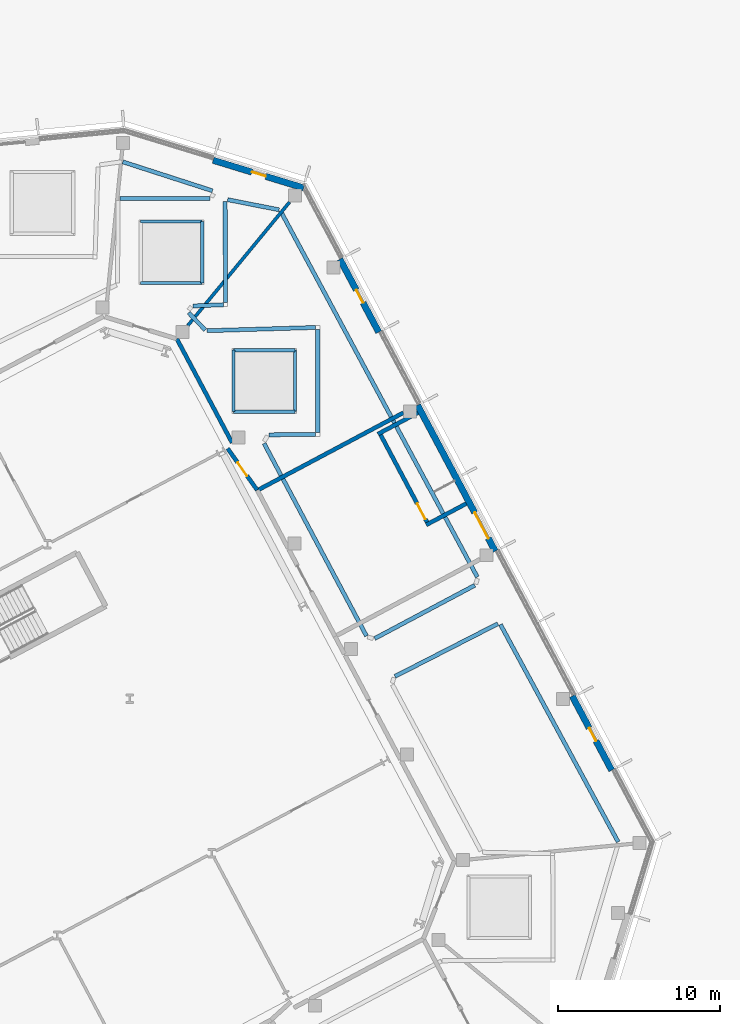
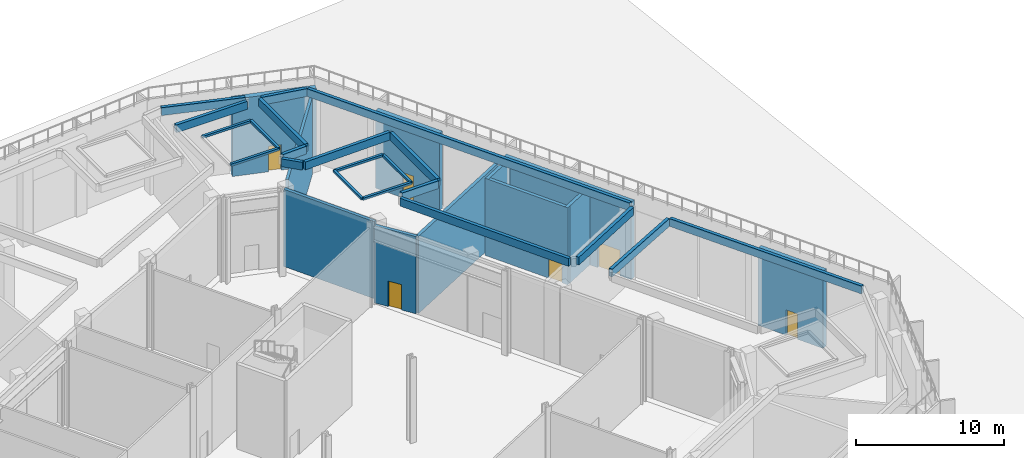
# One storey, part 27 of 57: 32 walls, 6 doors, 6 openings.
"""IFC4 building model written with IfcOpenShell, lengths in metres."""

from ifc_helpers import new_model, si_unit, direction, frame, frame_2d, origin, place, context, subcontext, project, spatial, rectangle, extrude, material, layer, layer_set, type_object, element, fill, save


model = new_model("IFC4")

# Units and contexts
model_context = context("Model", 3, precision=1e-05, world=origin(), true_north=direction((0.0, 1.0)))
body_context = subcontext(model_context, "Body", "Model", "MODEL_VIEW")
ifc_project = project(units=[si_unit("LENGTHUNIT", "METRE"), si_unit("AREAUNIT", "SQUARE_METRE"), si_unit("VOLUMEUNIT", "CUBIC_METRE"), si_unit("PLANEANGLEUNIT", "RADIAN"), si_unit("MASSUNIT", "GRAM", prefix="KILO")], contexts=[model_context])

# Site, building, storey
site_placement = place(None, origin())
site = spatial("IfcSite", under=ifc_project, at=site_placement, CompositionType="ELEMENT")
building_placement = place(site_placement, origin())
building = spatial("IfcBuilding", under=site, at=building_placement, Name="Cormorant Relay Tower", CompositionType="ELEMENT")
storey_placement = place(building_placement, origin())
storey = spatial("IfcBuildingStorey", under=building, at=storey_placement, Name="L00", CompositionType="ELEMENT", Elevation=0.0)

# Wall, opening, door
ifc_material_1 = material(Name="Concrete 40 MPa with granite cladding", Category="masonry")
ifc_layer_1 = layer(ifc_material_1, 0.39990234375)
ifc_layer_set_1 = layer_set([ifc_layer_1], Name="Base facade wall 400")
wall_type_1 = type_object("IfcWallType", Name="Base facade wall 400", PredefinedType="SOLIDWALL", material=ifc_layer_set_1)
wall_1_placement = place(storey_placement, frame((82.378662109375, 23.56689453125, 0.0), z_axis=(0.0, 0.0, 1.0), x_axis=(-0.469469391506, 0.882948747345, 0.0)))
wall_1 = element("IfcWall", 1, at=wall_1_placement, inside=storey, type_object=wall_type_1, Name="Base facade wall", PredefinedType="SOLIDWALL", context=body_context, shape_type="SweptSolid", body=[
    extrude(rectangle(XDim=5.18896484375, YDim=0.39990234375, at=frame_2d((2.594482421875, 0.0))), origin(), (0.0, 0.0, 1.0), 6.3701171875),
])
opening_1_placement = place(wall_1_placement, frame((2.05224609375, 0.0, 0.0)))
opening_1 = element("IfcOpeningElement", 2, at=opening_1_placement, cuts=wall_1, Name="Opening PD4-002", PredefinedType="OPENING", context=body_context, shape_type="SweptSolid", body=[
    extrude(rectangle(XDim=0.89990234375, YDim=2.10009765625, at=frame_2d((0.449951171875, 1.050048828125))), frame((0.0, 0.2099609375, 0.0), z_axis=(0.0, -1.0, 0.0), x_axis=(1.0, 0.0, 0.0)), (0.0, 0.0, 1.0), 0.419921875),
])
ifc_material_2 = material(Name="Steel door leaf", Category="steel")
door_type_1 = type_object("IfcDoorType", Name="Door service 900", OperationType="SINGLE_SWING_LEFT", PredefinedType="DOOR", material=ifc_material_2)
door_1_placement = place(opening_1_placement, frame((0.89990234375, 0.0, 0.0), z_axis=(0.0, 0.0, 1.0), x_axis=(-1.0, 0.0, 0.0)))
door_1 = element("IfcDoor", 3, at=door_1_placement, inside=storey, type_object=door_type_1, Name="Service door", OperationType="SINGLE_SWING_LEFT", OverallHeight=2.10009765625, OverallWidth=0.89990234375, PredefinedType="DOOR", context=body_context, shape_type="SweptSolid", body=[
    extrude(rectangle(XDim=0.89990234375, YDim=2.10009765625, at=frame_2d((0.449951171875, 1.050048828125))), frame((0.0, 0.02490234375, 0.0), z_axis=(0.0, -1.0, 0.0), x_axis=(1.0, 0.0, 0.0)), (0.0, 0.0, 1.0), 0.050048828125),
])
fill(opening_1, door_1)

wall_2_placement = place(storey_placement, frame((75.189208984375, 37.08837890625, 0.0), z_axis=(0.0, 0.0, 1.0), x_axis=(-0.469475745628, 0.88294536879, 0.0)))
wall_2 = element("IfcWall", 4, at=wall_2_placement, inside=storey, type_object=wall_type_1, Name="Base facade wall", PredefinedType="SOLIDWALL", context=body_context, shape_type="SweptSolid", body=[
    extrude(rectangle(XDim=10.209228515625, YDim=0.39990234375, at=frame_2d((5.1044921875, 0.0))), origin(), (0.0, 0.0, 1.0), 6.3701171875),
])
opening_2_placement = place(wall_2_placement, frame((0.89990234375, 0.0, 0.0)))
opening_2 = element("IfcOpeningElement", 5, at=opening_2_placement, cuts=wall_2, Name="Opening PD3-010", PredefinedType="OPENING", context=body_context, shape_type="SweptSolid", body=[
    extrude(rectangle(XDim=1.800048828125, YDim=2.10009765625, at=frame_2d((0.89990234375, 1.050048828125))), frame((0.0, 0.2099609375, 0.0), z_axis=(0.0, -1.0, 0.0), x_axis=(1.0, 0.0, 0.0)), (0.0, 0.0, 1.0), 0.419921875),
])
ifc_material_3 = material(Name="Steel door leaf", Category="steel")
door_type_2 = type_object("IfcDoorType", Name="Door double 1800", OperationType="DOUBLE_DOOR_SINGLE_SWING", PredefinedType="DOOR", material=ifc_material_3)
door_2_placement = place(opening_2_placement, frame((1.800048828125, 0.0, 0.0), z_axis=(0.0, 0.0, 1.0), x_axis=(-1.0, 0.0, 0.0)))
door_2 = element("IfcDoor", 6, at=door_2_placement, inside=storey, type_object=door_type_2, Name="Exit door", OperationType="DOUBLE_DOOR_SINGLE_SWING", OverallHeight=2.10009765625, OverallWidth=1.800048828125, PredefinedType="DOOR", context=body_context, shape_type="SweptSolid", body=[
    extrude(rectangle(XDim=1.800048828125, YDim=2.10009765625, at=frame_2d((0.89990234375, 1.050048828125))), frame((0.0, 0.02490234375, 0.0), z_axis=(0.0, -1.0, 0.0), x_axis=(1.0, 0.0, 0.0)), (0.0, 0.0, 1.0), 0.050048828125),
])
fill(opening_2, door_2)

wall_3_placement = place(storey_placement, frame((67.999755859375, 50.609619140625, 0.0), z_axis=(0.0, 0.0, 1.0), x_axis=(-0.469475745628, 0.88294536879, 0.0)))
wall_3 = element("IfcWall", 7, at=wall_3_placement, inside=storey, type_object=wall_type_1, Name="Base facade wall", PredefinedType="SOLIDWALL", context=body_context, shape_type="SweptSolid", body=[
    extrude(rectangle(XDim=5.1044921875, YDim=0.39990234375, at=frame_2d((2.55224609375, 0.0))), origin(), (0.0, 0.0, 1.0), 6.3701171875),
])
opening_3_placement = place(wall_3_placement, frame((2.05224609375, 0.0, 0.0)))
opening_3 = element("IfcOpeningElement", 8, at=opening_3_placement, cuts=wall_3, Name="Opening PD4-003", PredefinedType="OPENING", context=body_context, shape_type="SweptSolid", body=[
    extrude(rectangle(XDim=0.89990234375, YDim=2.10009765625, at=frame_2d((0.449951171875, 1.050048828125))), frame((0.0, 0.2099609375, 0.0), z_axis=(0.0, -1.0, 0.0), x_axis=(1.0, 0.0, 0.0)), (0.0, 0.0, 1.0), 0.419921875),
])
door_3_placement = place(opening_3_placement, origin())
door_3 = element("IfcDoor", 9, at=door_3_placement, inside=storey, type_object=door_type_1, Name="Service door", OperationType="SINGLE_SWING_LEFT", OverallHeight=2.10009765625, OverallWidth=0.89990234375, PredefinedType="DOOR", context=body_context, shape_type="SweptSolid", body=[
    extrude(rectangle(XDim=0.89990234375, YDim=2.10009765625, at=frame_2d((0.449951171875, 1.050048828125))), frame((0.0, 0.02490234375, 0.0), z_axis=(0.0, -1.0, 0.0), x_axis=(1.0, 0.0, 0.0)), (0.0, 0.0, 1.0), 0.050048828125),
])
fill(opening_3, door_3)

wall_4_placement = place(storey_placement, frame((63.360595703125, 59.515380859375, 0.0), z_axis=(0.0, 0.0, 1.0), x_axis=(-0.956314551747, 0.292339662237, 0.0)))
wall_4 = element("IfcWall", 10, at=wall_4_placement, inside=storey, type_object=wall_type_1, Name="Base facade wall", PredefinedType="SOLIDWALL", context=body_context, shape_type="SweptSolid", body=[
    extrude(rectangle(XDim=5.837646484375, YDim=0.39990234375, at=frame_2d((2.9189453125, 0.0))), origin(), (0.0, 0.0, 1.0), 6.3701171875),
])
opening_4_placement = place(wall_4_placement, frame((2.4375, 0.0, 0.0)))
opening_4 = element("IfcOpeningElement", 11, at=opening_4_placement, cuts=wall_4, Name="Opening PD4-004", PredefinedType="OPENING", context=body_context, shape_type="SweptSolid", body=[
    extrude(rectangle(XDim=0.89990234375, YDim=2.10009765625, at=frame_2d((0.449951171875, 1.050048828125))), frame((0.0, 0.2099609375, 0.0), z_axis=(0.0, -1.0, 0.0), x_axis=(1.0, 0.0, 0.0)), (0.0, 0.0, 1.0), 0.419921875),
])
door_4_placement = place(opening_4_placement, frame((0.89990234375, 0.0, 0.0), z_axis=(0.0, 0.0, 1.0), x_axis=(-1.0, 0.0, 0.0)))
door_4 = element("IfcDoor", 12, at=door_4_placement, inside=storey, type_object=door_type_1, Name="Service door", OperationType="SINGLE_SWING_LEFT", OverallHeight=2.10009765625, OverallWidth=0.89990234375, PredefinedType="DOOR", context=body_context, shape_type="SweptSolid", body=[
    extrude(rectangle(XDim=0.89990234375, YDim=2.10009765625, at=frame_2d((0.449951171875, 1.050048828125))), frame((0.0, 0.02490234375, 0.0), z_axis=(0.0, -1.0, 0.0), x_axis=(1.0, 0.0, 0.0)), (0.0, 0.0, 1.0), 0.050048828125),
])
fill(opening_4, door_4)

# Walls
ifc_material_4 = material(Name="Concrete 30 MPa upstand", Category="concrete")
ifc_layer_2 = layer(ifc_material_4, 0.199951171875)
ifc_layer_set_2 = layer_set([ifc_layer_2], Name="Deck rooflight kerb 200")
wall_type_2 = type_object("IfcWallType", Name="Deck rooflight kerb 200", PredefinedType="SOLIDWALL", material=ifc_layer_set_2)
for number, where, z_axis, x_axis, name in (
    (13, (62.8310546875, 45.697021484375, 6.919921875), (0.0, 0.0, 1.0), (-1.0, 0.0, 0.0), "Rooflight kerb"),
    (14, (59.031005859375, 45.697021484375, 6.919921875), (0.0, 0.0, 1.0), (0.0, 1.0, 0.0), "Rooflight kerb"),
    (15, (59.031005859375, 49.4970703125, 6.919921875), (0.0, 0.0, 1.0), (1.0, 0.0, 0.0), "Rooflight kerb"),
    (16, (62.8310546875, 49.4970703125, 6.919921875), (0.0, 0.0, 1.0), (0.0, -1.0, 0.0), "Rooflight kerb"),
    (17, (57.10302734375, 53.64794921875, 6.919921875), (0.0, 0.0, 1.0), (-1.0, 0.0, 0.0), "Rooflight kerb"),
    (18, (53.302978515625, 57.447998046875, 6.919921875), (0.0, 0.0, 1.0), (1.0, 0.0, 0.0), "Rooflight kerb"),
    (19, (57.10302734375, 57.447998046875, 6.919921875), (0.0, 0.0, 1.0), (0.0, -1.0, 0.0), "Rooflight kerb"),
):
    element("IfcWall", number, at=place(storey_placement, frame(where, z_axis=z_axis, x_axis=x_axis)), inside=storey, type_object=wall_type_2, Name=name, PredefinedType="SOLIDWALL", context=body_context, shape_type="SweptSolid", body=[
        extrude(rectangle(XDim=3.800048828125, YDim=0.199951171875, at=frame_2d((1.89990234375, 0.0))), origin(), (0.0, 0.0, 1.0), 0.18017578125),
    ])
ifc_material_5 = material(Name="Concrete masonry 20 MPa", Category="masonry")
ifc_layer_3 = layer(ifc_material_5, 0.25)
ifc_layer_set_3 = layer_set([ifc_layer_3], Name="Fire separation wall 250")
wall_type_3 = type_object("IfcWallType", Name="Fire separation wall 250", PredefinedType="SOLIDWALL", material=ifc_layer_set_3)
wall_5_placement = place(storey_placement, frame((69.51806640625, 45.635498046875, 0.0), z_axis=(0.0, 0.0, 1.0), x_axis=(-0.882956154604, -0.46945546013, 0.0)))
element("IfcWall", 20, at=wall_5_placement, inside=storey, type_object=wall_type_3, Name="Partition", PredefinedType="SOLIDWALL", context=body_context, shape_type="SweptSolid", body=[
    extrude(rectangle(XDim=10.20556640625, YDim=0.25, at=frame_2d((5.102783203125, 0.0))), origin(), (0.0, 0.0, 1.0), 6.3701171875),
])

# Wall, opening, door
wall_6_placement = place(storey_placement, frame((58.672119140625, 43.42822265625, 0.0), z_axis=(0.0, 0.0, 1.0), x_axis=(0.578928632739, -0.815378217881, 0.0)))
wall_6 = element("IfcWall", 21, at=wall_6_placement, inside=storey, type_object=wall_type_3, Name="Partition", PredefinedType="SOLIDWALL", context=body_context, shape_type="SweptSolid", body=[
    extrude(rectangle(XDim=3.14306640625, YDim=0.25, at=frame_2d((1.571533203125, 0.0))), origin(), (0.0, 0.0, 1.0), 6.3701171875),
])
opening_5_placement = place(wall_6_placement, frame((1.072021484375, 0.0, 0.0)))
opening_5 = element("IfcOpeningElement", 22, at=opening_5_placement, cuts=wall_6, Name="Opening PD1-061", PredefinedType="OPENING", context=body_context, shape_type="SweptSolid", body=[
    extrude(rectangle(XDim=1.0, YDim=2.10009765625, at=frame_2d((0.5, 1.050048828125))), frame((0.0, 0.135009765625, 0.0), z_axis=(0.0, -1.0, 0.0), x_axis=(1.0, 0.0, 0.0)), (0.0, 0.0, 1.0), 0.27001953125),
])
ifc_material_6 = material(Name="Steel door leaf", Category="steel")
door_type_3 = type_object("IfcDoorType", Name="Door single 1000", OperationType="SINGLE_SWING_LEFT", PredefinedType="DOOR", material=ifc_material_6)
door_5_placement = place(opening_5_placement, origin())
door_5 = element("IfcDoor", 23, at=door_5_placement, inside=storey, type_object=door_type_3, Name="Door", OperationType="SINGLE_SWING_RIGHT", OverallHeight=2.10009765625, OverallWidth=1.0, PredefinedType="DOOR", context=body_context, shape_type="SweptSolid", body=[
    extrude(rectangle(XDim=1.0, YDim=2.10009765625, at=frame_2d((0.5, 1.050048828125))), frame((0.0, 0.02490234375, 0.0), z_axis=(0.0, -1.0, 0.0), x_axis=(1.0, 0.0, 0.0)), (0.0, 0.0, 1.0), 0.050048828125),
])
fill(opening_5, door_5)

# Walls
wall_7_placement = place(storey_placement, frame((55.534912109375, 50.196044921875, 0.0), z_axis=(0.0, 0.0, 1.0), x_axis=(0.469471385401, -0.882947687176, 0.0)))
element("IfcWall", 24, at=wall_7_placement, inside=storey, type_object=wall_type_3, Name="Partition", PredefinedType="SOLIDWALL", context=body_context, shape_type="SweptSolid", body=[
    extrude(rectangle(XDim=7.263916015625, YDim=0.25, at=frame_2d((3.6318359375, 0.0))), origin(), (0.0, 0.0, 1.0), 6.3701171875),
])
wall_8_placement = place(storey_placement, frame((73.400390625, 40.026611328125, 0.0), z_axis=(0.0, 0.0, 1.0), x_axis=(-0.882970050864, -0.469429322983, 0.0)))
element("IfcWall", 25, at=wall_8_placement, inside=storey, type_object=wall_type_3, Name="Stair enclosure wall", PredefinedType="SOLIDWALL", context=body_context, shape_type="SweptSolid", body=[
    extrude(rectangle(XDim=2.800048828125, YDim=0.25, at=frame_2d((1.39990234375, 0.0))), origin(), (0.0, 0.0, 1.0), 6.3701171875),
])
wall_9_placement = place(storey_placement, frame((70.419189453125, 45.63330078125, 0.0), z_axis=(0.0, 0.0, 1.0), x_axis=(-0.882950835185, -0.469465464807, 0.0)))
element("IfcWall", 26, at=wall_9_placement, inside=storey, type_object=wall_type_3, Name="Stair enclosure wall", PredefinedType="SOLIDWALL", context=body_context, shape_type="SweptSolid", body=[
    extrude(rectangle(XDim=2.7998046875, YDim=0.25, at=frame_2d((1.39990234375, 0.0))), origin(), (0.0, 0.0, 1.0), 6.3701171875),
])

# Wall, opening, door
wall_10_placement = place(storey_placement, frame((71.09716796875, 38.660400390625, 0.0), z_axis=(0.0, 0.0, 1.0), x_axis=(-0.469489660743, 0.882937969766, 0.0)))
wall_10 = element("IfcWall", 27, at=wall_10_placement, inside=storey, type_object=wall_type_3, Name="Stair enclosure wall", PredefinedType="SOLIDWALL", context=body_context, shape_type="SweptSolid", body=[
    extrude(rectangle(XDim=6.60009765625, YDim=0.25, at=frame_2d((3.300048828125, 0.0))), origin(), (0.0, 0.0, 1.0), 6.3701171875),
])
opening_6_placement = place(wall_10_placement, frame((0.449951171875, 0.0, 0.0)))
opening_6 = element("IfcOpeningElement", 28, at=opening_6_placement, cuts=wall_10, Name="Opening PD10-010", PredefinedType="OPENING", context=body_context, shape_type="SweptSolid", body=[
    extrude(rectangle(XDim=1.10009765625, YDim=2.10009765625, at=frame_2d((0.550048828125, 1.050048828125))), frame((0.0, 0.135009765625, 0.0), z_axis=(0.0, -1.0, 0.0), x_axis=(1.0, 0.0, 0.0)), (0.0, 0.0, 1.0), 0.27001953125),
])
ifc_material_7 = material(Name="Steel fire door leaf", Category="steel")
door_type_4 = type_object("IfcDoorType", Name="Door stair 1100", OperationType="SINGLE_SWING_LEFT", PredefinedType="DOOR", material=ifc_material_7)
door_6_placement = place(opening_6_placement, frame((1.10009765625, 0.0, 0.0), z_axis=(0.0, 0.0, 1.0), x_axis=(-1.0, 0.0, 0.0)))
door_6 = element("IfcDoor", 29, at=door_6_placement, inside=storey, type_object=door_type_4, Name="Stair door", OperationType="SINGLE_SWING_RIGHT", OverallHeight=2.10009765625, OverallWidth=1.10009765625, PredefinedType="DOOR", context=body_context, shape_type="SweptSolid", body=[
    extrude(rectangle(XDim=1.10009765625, YDim=2.10009765625, at=frame_2d((0.550048828125, 1.050048828125))), frame((0.0, 0.02490234375, 0.0), z_axis=(0.0, -1.0, 0.0), x_axis=(1.0, 0.0, 0.0)), (0.0, 0.0, 1.0), 0.050048828125),
])
fill(opening_6, door_6)

# Walls
ifc_material_8 = material(Name="Concrete masonry 20 MPa", Category="masonry")
ifc_layer_4 = layer(ifc_material_8, 0.199951171875)
ifc_layer_set_4 = layer_set([ifc_layer_4], Name="Plant room wall 200")
wall_type_4 = type_object("IfcWallType", Name="Plant room wall 200", PredefinedType="PARTITIONING", material=ifc_layer_set_4)
wall_11_placement = place(storey_placement, frame((62.502685546875, 58.64892578125, 0.0), z_axis=(0.0, 0.0, 1.0), x_axis=(-0.636071289124, -0.771630296938, 0.0)))
element("IfcWall", 30, at=wall_11_placement, inside=storey, type_object=wall_type_4, Name="Partition", PredefinedType="PARTITIONING", context=body_context, shape_type="SweptSolid", body=[
    extrude(rectangle(XDim=9.89453125, YDim=0.199951171875, at=frame_2d((4.947265625, 0.0))), origin(), (0.0, 0.0, 1.0), 6.3701171875),
])
ifc_material_9 = material(Name="Concrete 40 MPa", Category="concrete")
ifc_layer_5 = layer(ifc_material_9, 0.25)
ifc_layer_set_5 = layer_set([ifc_layer_5], Name="Planter kerb 250")
wall_type_5 = type_object("IfcWallType", Name="Planter kerb 250", PredefinedType="STANDARD", material=ifc_layer_set_5)
wall_12_placement = place(storey_placement, frame((68.996826171875, 29.359130859375, 7.0), z_axis=(0.0, 0.0, 1.0), x_axis=(0.890192001807, 0.455585557189, 0.0)))
element("IfcWall", 31, at=wall_12_placement, inside=storey, type_object=wall_type_5, Name="PLANTER 07 kerb", PredefinedType="STANDARD", context=body_context, shape_type="SweptSolid", body=[
    extrude(rectangle(XDim=7.1337890625, YDim=0.25, at=frame_2d((3.56689453125, 0.0))), origin(), (0.0, 0.0, 1.0), 0.64990234375),
])
wall_13_placement = place(storey_placement, frame((75.512939453125, 32.559326171875, 7.0), z_axis=(0.0, 0.0, 1.0), x_axis=(0.476092369677, -0.879395278322, 0.0)))
element("IfcWall", 32, at=wall_13_placement, inside=storey, type_object=wall_type_5, Name="PLANTER 07 kerb", PredefinedType="STANDARD", context=body_context, shape_type="SweptSolid", body=[
    extrude(rectangle(XDim=15.25439453125, YDim=0.25, at=frame_2d((7.627197265625, 0.0))), origin(), (0.0, 0.0, 1.0), 0.64990234375),
])
wall_14_placement = place(storey_placement, frame((64.10400390625, 50.898681640625, 7.0), z_axis=(0.0, 0.0, 1.0), x_axis=(-0.999557331357, -0.029751324843, 0.0)))
element("IfcWall", 33, at=wall_14_placement, inside=storey, type_object=wall_type_5, Name="PLANTER 09 kerb", PredefinedType="STANDARD", context=body_context, shape_type="SweptSolid", body=[
    extrude(rectangle(XDim=6.720703125, YDim=0.25, at=frame_2d((3.3603515625, 0.0))), origin(), (0.0, 0.0, 1.0), 0.64990234375),
])
wall_15_placement = place(storey_placement, frame((57.292236328125, 50.7373046875, 7.0), z_axis=(0.0, 0.0, 1.0), x_axis=(-0.692037764772, 0.721861297016, 0.0)))
element("IfcWall", 34, at=wall_15_placement, inside=storey, type_object=wall_type_5, Name="PLANTER 09 kerb", PredefinedType="STANDARD", context=body_context, shape_type="SweptSolid", body=[
    extrude(rectangle(XDim=1.481689453125, YDim=0.25, at=frame_2d((0.74072265625, 0.0))), origin(), (0.0, 0.0, 1.0), 0.64990234375),
])
wall_16_placement = place(storey_placement, frame((56.52978515625, 52.2275390625, 7.0), z_axis=(0.0, 0.0, 1.0), x_axis=(0.999199505682, 0.040004347816, 0.0)))
element("IfcWall", 35, at=wall_16_placement, inside=storey, type_object=wall_type_5, Name="PLANTER 09 kerb", PredefinedType="STANDARD", context=body_context, shape_type="SweptSolid", body=[
    extrude(rectangle(XDim=1.879638671875, YDim=0.25, at=frame_2d((0.93994140625, 0.0))), origin(), (0.0, 0.0, 1.0), 0.64990234375),
])
wall_17_placement = place(storey_placement, frame((58.528076171875, 52.427734375, 7.0), z_axis=(0.0, 0.0, 1.0), x_axis=(-0.001096104254, 0.999999399278, 0.0)))
element("IfcWall", 36, at=wall_17_placement, inside=storey, type_object=wall_type_5, Name="PLANTER 09 kerb", PredefinedType="STANDARD", context=body_context, shape_type="SweptSolid", body=[
    extrude(rectangle(XDim=6.236572265625, YDim=0.25, at=frame_2d((3.1181640625, 0.0))), origin(), (0.0, 0.0, 1.0), 0.64990234375),
])
wall_18_placement = place(storey_placement, frame((58.67041015625, 58.787109375, 7.0), z_axis=(0.0, 0.0, 1.0), x_axis=(0.981202419551, -0.192981376996, 0.0)))
element("IfcWall", 37, at=wall_18_placement, inside=storey, type_object=wall_type_5, Name="PLANTER 09 kerb", PredefinedType="STANDARD", context=body_context, shape_type="SweptSolid", body=[
    extrude(rectangle(XDim=3.236083984375, YDim=0.25, at=frame_2d((1.6181640625, 0.0))), origin(), (0.0, 0.0, 1.0), 0.64990234375),
])
wall_19_placement = place(storey_placement, frame((61.931640625, 58.09912109375, 7.0), z_axis=(0.0, 0.0, 1.0), x_axis=(0.473465440849, -0.880812395645, 0.0)))
element("IfcWall", 38, at=wall_19_placement, inside=storey, type_object=wall_type_5, Name="PLANTER 09 kerb", PredefinedType="STANDARD", context=body_context, shape_type="SweptSolid", body=[
    extrude(rectangle(XDim=25.66259765625, YDim=0.25, at=frame_2d((12.831298828125, 0.0))), origin(), (0.0, 0.0, 1.0), 0.64990234375),
])
wall_20_placement = place(storey_placement, frame((73.926025390625, 34.983154296875, 7.0), z_axis=(0.0, 0.0, 1.0), x_axis=(-0.882946601909, -0.469473426487, 0.0)))
element("IfcWall", 39, at=wall_20_placement, inside=storey, type_object=wall_type_5, Name="PLANTER 09 kerb", PredefinedType="STANDARD", context=body_context, shape_type="SweptSolid", body=[
    extrude(rectangle(XDim=6.992919921875, YDim=0.25, at=frame_2d((3.49658203125, 0.0))), origin(), (0.0, 0.0, 1.0), 0.64990234375),
])
wall_21_placement = place(storey_placement, frame((67.23974609375, 31.856689453125, 7.0), z_axis=(0.0, 0.0, 1.0), x_axis=(-0.469474314258, 0.88294612987, 0.0)))
element("IfcWall", 40, at=wall_21_placement, inside=storey, type_object=wall_type_5, Name="PLANTER 09 kerb", PredefinedType="STANDARD", context=body_context, shape_type="SweptSolid", body=[
    extrude(rectangle(XDim=13.4619140625, YDim=0.25, at=frame_2d((6.73095703125, 0.0))), origin(), (0.0, 0.0, 1.0), 0.64990234375),
])
wall_22_placement = place(storey_placement, frame((61.2373046875, 44.273193359375, 7.0), z_axis=(0.0, 0.0, 1.0), x_axis=(0.999970067376, 0.007737205691, 0.0)))
element("IfcWall", 41, at=wall_22_placement, inside=storey, type_object=wall_type_5, Name="PLANTER 09 kerb", PredefinedType="STANDARD", context=body_context, shape_type="SweptSolid", body=[
    extrude(rectangle(XDim=2.871337890625, YDim=0.25, at=frame_2d((1.435546875, 0.0))), origin(), (0.0, 0.0, 1.0), 0.64990234375),
])
wall_23_placement = place(storey_placement, frame((64.232666015625, 44.42041015625, 7.0), z_axis=(0.0, 0.0, 1.0), x_axis=(0.0, 1.0, 0.0)))
element("IfcWall", 42, at=wall_23_placement, inside=storey, type_object=wall_type_5, Name="PLANTER 09 kerb", PredefinedType="STANDARD", context=body_context, shape_type="SweptSolid", body=[
    extrude(rectangle(XDim=6.353271484375, YDim=0.25, at=frame_2d((3.1767578125, 0.0))), origin(), (0.0, 0.0, 1.0), 0.64990234375),
])
wall_24_placement = place(storey_placement, frame((52.198486328125, 61.123291015625, 7.0), z_axis=(0.0, 0.0, 1.0), x_axis=(0.951593022615, -0.307360894243, 0.0)))
element("IfcWall", 43, at=wall_24_placement, inside=storey, type_object=wall_type_5, Name="PLANTER 13 kerb", PredefinedType="STANDARD", context=body_context, shape_type="SweptSolid", body=[
    extrude(rectangle(XDim=5.81591796875, YDim=0.25, at=frame_2d((2.907958984375, 0.0))), origin(), (0.0, 0.0, 1.0), 0.64990234375),
])
wall_25_placement = place(storey_placement, frame((57.573974609375, 58.872314453125, 7.0), z_axis=(0.0, 0.0, 1.0), x_axis=(-0.999991626198, -0.004092374972, 0.0)))
element("IfcWall", 44, at=wall_25_placement, inside=storey, type_object=wall_type_5, Name="PLANTER 13 kerb", PredefinedType="STANDARD", context=body_context, shape_type="SweptSolid", body=[
    extrude(rectangle(XDim=5.548095703125, YDim=0.25, at=frame_2d((2.77392578125, 0.0))), origin(), (0.0, 0.0, 1.0), 0.64990234375),
])

save(model, "model.ifc")
